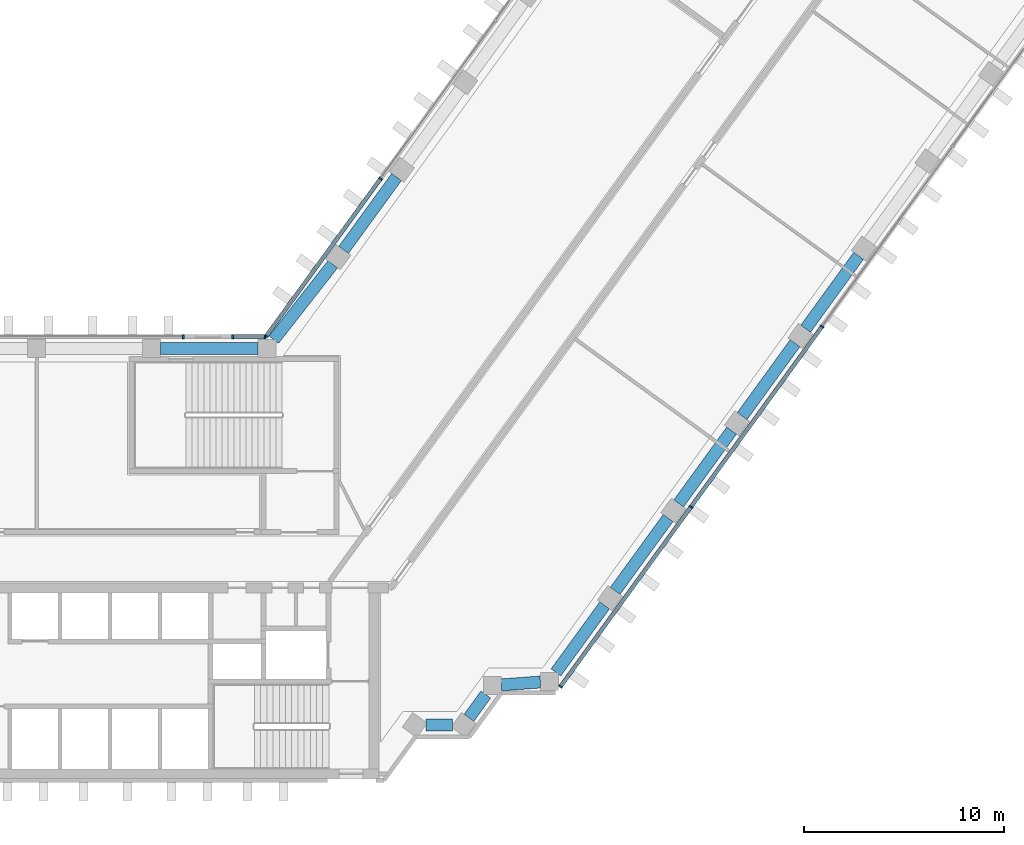
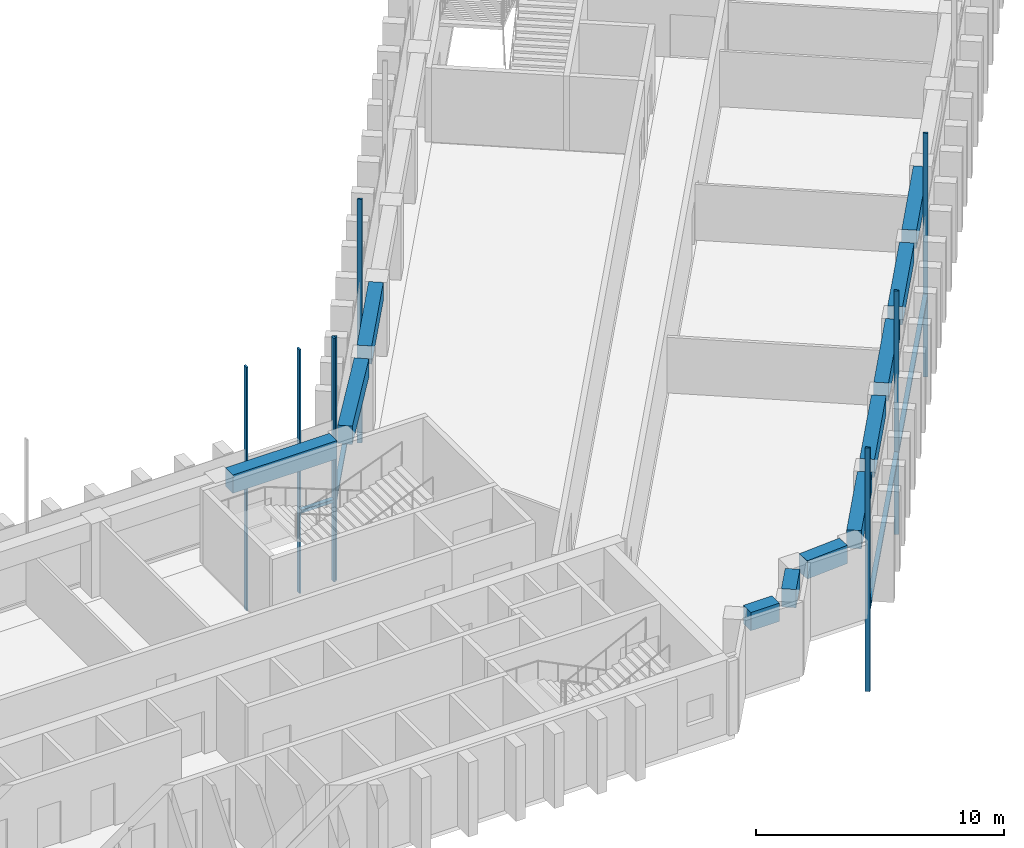
# One storey, part 5 of 18: 12 members, 11 beams, 4 elements without a shape of their own.
"""IFC4 building model written with IfcOpenShell, lengths in metres."""

from ifc_helpers import new_model, si_unit, direction, frame, origin, origin_2d, place, context, subcontext, project, spatial, rectangle, extrude, material, material_profile, profile_set, type_object, element, aggregate, save


model = new_model("IFC4")

# Units and contexts
model_context = context("Model", 3, precision=1e-05, world=origin(), true_north=direction((0.0, 1.0)))
body_context = subcontext(model_context, "Body", "Model", "MODEL_VIEW")
ifc_project = project(units=[si_unit("LENGTHUNIT", "METRE"), si_unit("AREAUNIT", "SQUARE_METRE"), si_unit("VOLUMEUNIT", "CUBIC_METRE"), si_unit("PLANEANGLEUNIT", "RADIAN"), si_unit("MASSUNIT", "GRAM", prefix="KILO")], contexts=[model_context])

# Site, building, storey
site_placement = place(None, origin())
site = spatial("IfcSite", under=ifc_project, at=site_placement, CompositionType="ELEMENT")
building_placement = place(site_placement, origin())
building = spatial("IfcBuilding", under=site, at=building_placement, Name="Quipu Civic Tower", CompositionType="ELEMENT")
storey_placement = place(building_placement, frame((0.0, 0.0, 59.0)))
storey = spatial("IfcBuildingStorey", under=building, at=storey_placement, Name="L13", CompositionType="ELEMENT", Elevation=59.0)

# Curtain wall, members
ifc_material_1 = material(Name="Insulated glass unit", Category="glass")
curtain_wall_type = type_object("IfcCurtainWallType", Name="Office curtain wall CW1", PredefinedType="NOTDEFINED", material=ifc_material_1)
curtain_wall_1_placement = place(storey_placement, origin())
curtain_wall_1 = element("IfcCurtainWall", 1, at=curtain_wall_1_placement, inside=storey, type_object=curtain_wall_type, Name="Office curtain wall CW1 L12 run 26", PredefinedType="NOTDEFINED")
ifc_material_2 = material(Name="Anodised aluminium", Category="aluminium")
ifc_material_profile_1 = material_profile(ifc_material_2, rectangle(XDim=0.199951171875, YDim=0.080078125, at=origin_2d()), Name="RECT 200x80")
ifc_profile_set_1 = profile_set([ifc_material_profile_1], Name="Anodised aluminium")
member_type_1 = type_object("IfcMemberType", Name="Mullion CW1", PredefinedType="MULLION", material=ifc_profile_set_1)
member_1_placement = place(storey_placement, frame((29.079345703125, -6.3876953125, -3.919921875), z_axis=(0.0, 0.0, 1.0), x_axis=(-0.809016770908, 0.587785559869, 0.0)))
member_1 = element("IfcMember", 2, at=member_1_placement, type_object=member_type_1, Name="CW1 mullion 1", PredefinedType="MULLION", context=body_context, shape_type="SweptSolid", body=[
    extrude(rectangle(XDim=0.199951171875, YDim=0.080078125, at=origin_2d()), origin(), (0.0, 0.0, 1.0), 12.0),
])
member_2_placement = place(storey_placement, frame((35.60546875, 2.594482421875, -3.919921875), z_axis=(0.0, 0.0, 1.0), x_axis=(-0.809016770908, 0.587785559869, 0.0)))
member_2 = element("IfcMember", 3, at=member_2_placement, type_object=member_type_1, Name="CW1 mullion 2", PredefinedType="MULLION", context=body_context, shape_type="SweptSolid", body=[
    extrude(rectangle(XDim=0.199951171875, YDim=0.080078125, at=origin_2d()), origin(), (0.0, 0.0, 1.0), 12.0),
])
member_3_placement = place(storey_placement, frame((42.155029296875, 11.609130859375, -3.919921875), z_axis=(0.0, 0.0, 1.0), x_axis=(-0.809016770908, 0.587785559869, 0.0)))
member_3 = element("IfcMember", 4, at=member_3_placement, type_object=member_type_1, Name="CW1 mullion 3", PredefinedType="MULLION", context=body_context, shape_type="SweptSolid", body=[
    extrude(rectangle(XDim=0.199951171875, YDim=0.080078125, at=origin_2d()), origin(), (0.0, 0.0, 1.0), 12.0),
])

curtain_wall_2_placement = place(storey_placement, origin())
curtain_wall_2 = element("IfcCurtainWall", 5, at=curtain_wall_2_placement, inside=storey, type_object=curtain_wall_type, Name="Office curtain wall CW1 L12 run 36", PredefinedType="NOTDEFINED")
member_4_placement = place(storey_placement, frame((20.08154296875, 18.996826171875, -3.919921875), z_axis=(0.0, 0.0, 1.0), x_axis=(0.809016532822, -0.587785887566, 0.0)))
member_4 = element("IfcMember", 6, at=member_4_placement, type_object=member_type_1, Name="CW1 mullion 4", PredefinedType="MULLION", context=body_context, shape_type="SweptSolid", body=[
    extrude(rectangle(XDim=0.199951171875, YDim=0.080078125, at=origin_2d()), origin(), (0.0, 0.0, 1.0), 12.0),
])
member_5_placement = place(storey_placement, frame((14.36767578125, 11.13232421875, -3.919921875), z_axis=(0.0, 0.0, 1.0), x_axis=(0.809016532822, -0.587785887566, 0.0)))
member_5 = element("IfcMember", 7, at=member_5_placement, type_object=member_type_1, Name="CW1 mullion 5", PredefinedType="MULLION", context=body_context, shape_type="SweptSolid", body=[
    extrude(rectangle(XDim=0.199951171875, YDim=0.080078125, at=origin_2d()), origin(), (0.0, 0.0, 1.0), 12.0),
])

curtain_wall_3_placement = place(storey_placement, origin())
curtain_wall_3 = element("IfcCurtainWall", 8, at=curtain_wall_3_placement, inside=storey, type_object=curtain_wall_type, Name="Office curtain wall CW1 L12 run 37", PredefinedType="NOTDEFINED")
member_6_placement = place(storey_placement, frame((14.30419921875, 11.10009765625, -3.919921875), z_axis=(0.0, 0.0, 1.0), x_axis=(0.0, -1.0, 0.0)))
member_6 = element("IfcMember", 9, at=member_6_placement, type_object=member_type_1, Name="CW1 mullion 1", PredefinedType="MULLION", context=body_context, shape_type="SweptSolid", body=[
    extrude(rectangle(XDim=0.199951171875, YDim=0.080078125, at=origin_2d()), origin(), (0.0, 0.0, 1.0), 12.0),
])
member_7_placement = place(storey_placement, frame((12.695068359375, 11.10009765625, -3.919921875), z_axis=(0.0, 0.0, 1.0), x_axis=(0.0, -1.0, 0.0)))
member_7 = element("IfcMember", 10, at=member_7_placement, type_object=member_type_1, Name="CW1 mullion 2", PredefinedType="MULLION", context=body_context, shape_type="SweptSolid", body=[
    extrude(rectangle(XDim=0.199951171875, YDim=0.080078125, at=origin_2d()), origin(), (0.0, 0.0, 1.0), 12.0),
])

# Curtain wall, member
curtain_wall_4_placement = place(storey_placement, origin())
curtain_wall_4 = element("IfcCurtainWall", 11, at=curtain_wall_4_placement, inside=storey, type_object=curtain_wall_type, Name="Office curtain wall CW1 L12 run 39", PredefinedType="NOTDEFINED")
member_8_placement = place(storey_placement, frame((10.223388671875, 11.10009765625, -3.919921875), z_axis=(0.0, 0.0, 1.0), x_axis=(0.0, -1.0, 0.0)))
member_8 = element("IfcMember", 12, at=member_8_placement, type_object=member_type_1, Name="CW1 mullion 1", PredefinedType="MULLION", context=body_context, shape_type="SweptSolid", body=[
    extrude(rectangle(XDim=0.199951171875, YDim=0.080078125, at=origin_2d()), origin(), (0.0, 0.0, 1.0), 12.0),
])
aggregate(curtain_wall_4, [member_8])

# Beams
ifc_material_3 = material(Name="Concrete C50/60", Category="concrete")
ifc_material_profile_2 = material_profile(ifc_material_3, rectangle(XDim=0.60009765625, YDim=0.89990234375, at=origin_2d()), Name="RC600x900")
ifc_profile_set_2 = profile_set([ifc_material_profile_2], Name="Concrete C50/60")
beam_type = type_object("IfcBeamType", Name="Spandrel beam RC 600x900 C50/60", PredefinedType="SPANDREL", material=ifc_profile_set_2)
beam_1_placement = place(storey_placement, frame((22.34814453125, -8.31494140625, 3.199951171875), z_axis=(1.0, 0.0, 0.0), x_axis=(0.0, 1.0, 0.0)))
element("IfcBeam", 13, at=beam_1_placement, inside=storey, type_object=beam_type, Name="Spandrel beam L13 J-Eo.1 to J-Eo.2", PredefinedType="SPANDREL", context=body_context, shape_type="SweptSolid", body=[
    extrude(rectangle(XDim=0.60009765625, YDim=0.89990234375, at=origin_2d()), origin(), (0.0, 0.0, 1.0), 1.33056640625),
])
beam_2_placement = place(storey_placement, frame((24.499755859375, -7.951171875, 3.199951171875), z_axis=(0.588433824377, 0.808545381738, 0.0), x_axis=(-0.808545381738, 0.588433824377, 0.0)))
element("IfcBeam", 14, at=beam_2_placement, inside=storey, type_object=beam_type, Name="Spandrel beam L13 J-Eo.2 to J-Eo.3", PredefinedType="SPANDREL", context=body_context, shape_type="SweptSolid", body=[
    extrude(rectangle(XDim=0.60009765625, YDim=0.89990234375, at=origin_2d()), origin(), (0.0, 0.0, 1.0), 1.439697265625),
])
beam_3_placement = place(storey_placement, frame((26.12451171875, -6.304443359375, 3.199951171875), z_axis=(0.997365981169, 0.072533437859, 0.0), x_axis=(-0.072533437859, 0.997365981169, 0.0)))
element("IfcBeam", 15, at=beam_3_placement, inside=storey, type_object=beam_type, Name="Spandrel beam L13 J-Eo.3 to J-Eo.4", PredefinedType="SPANDREL", context=body_context, shape_type="SweptSolid", body=[
    extrude(rectangle(XDim=0.60009765625, YDim=0.89990234375, at=origin_2d()), origin(), (0.0, 0.0, 1.0), 1.95556640625),
])
beam_4_placement = place(storey_placement, frame((28.85205078125, -5.679931640625, 3.199951171875), z_axis=(0.587750565781, 0.809042194464, 0.0), x_axis=(-0.809042194464, 0.587750565781, 0.0)))
element("IfcBeam", 16, at=beam_4_placement, inside=storey, type_object=beam_type, Name="Spandrel beam L13 J-Eo.4 to E-OUT-01", PredefinedType="SPANDREL", context=body_context, shape_type="SweptSolid", body=[
    extrude(rectangle(XDim=0.60009765625, YDim=0.89990234375, at=origin_2d()), origin(), (0.0, 0.0, 1.0), 4.13720703125),
])
beam_5_placement = place(storey_placement, frame((31.812744140625, -1.604736328125, 3.199951171875), z_axis=(0.587778073121, 0.809022210299, 0.0), x_axis=(-0.809022210299, 0.587778073121, 0.0)))
element("IfcBeam", 17, at=beam_5_placement, inside=storey, type_object=beam_type, Name="Spandrel beam L13 E-OUT-01 to E-OUT-02", PredefinedType="SPANDREL", context=body_context, shape_type="SweptSolid", body=[
    extrude(rectangle(XDim=0.60009765625, YDim=0.89990234375, at=origin_2d()), origin(), (0.0, 0.0, 1.0), 4.5),
])
beam_6_placement = place(storey_placement, frame((34.98681640625, 2.76416015625, 3.199951171875), z_axis=(0.587803872688, 0.809003465539, 0.0), x_axis=(-0.809003465539, 0.587803872688, 0.0)))
element("IfcBeam", 18, at=beam_6_placement, inside=storey, type_object=beam_type, Name="Spandrel beam L13 E-OUT-02 to E-OUT-03", PredefinedType="SPANDREL", context=body_context, shape_type="SweptSolid", body=[
    extrude(rectangle(XDim=0.60009765625, YDim=0.89990234375, at=origin_2d()), origin(), (0.0, 0.0, 1.0), 4.499755859375),
])
for number, where, z_axis, x_axis, name in (
    (19, (38.160888671875, 7.1328125, 3.199951171875), (0.587778073121, 0.809022210299, 0.0), (-0.809022210299, 0.587778073121, 0.0), "Spandrel beam L13 E-OUT-03 to E-OUT-04"),
    (20, (41.3349609375, 11.50146484375, 3.199951171875), (0.587778073121, 0.809022210299, 0.0), (-0.809022210299, 0.587778073121, 0.0), "Spandrel beam L13 E-OUT-04 to E-OUT-05"),
    (21, (20.8828125, 19.079833984375, 3.199951171875), (-0.587716763865, -0.809066749701, 0.0), (0.809066749701, -0.587716763865, 0.0), "Spandrel beam L13 E-IN-02 to E-IN-01"),
):
    element("IfcBeam", number, at=place(storey_placement, frame(where, z_axis=z_axis, x_axis=x_axis)), inside=storey, type_object=beam_type, Name=name, PredefinedType="SPANDREL", context=body_context, shape_type="SweptSolid", body=[
        extrude(rectangle(XDim=0.60009765625, YDim=0.89990234375, at=origin_2d()), origin(), (0.0, 0.0, 1.0), 4.5),
    ])
beam_7_placement = place(storey_placement, frame((17.6962890625, 14.72021484375, 3.199951171875), z_axis=(-0.616123961998, -0.787649200756, 0.0), x_axis=(0.787649200756, -0.616123961998, 0.0)))
element("IfcBeam", 22, at=beam_7_placement, inside=storey, type_object=beam_type, Name="Spandrel beam L13 E-IN-01 to J-Ei.0", PredefinedType="SPANDREL", context=body_context, shape_type="SweptSolid", body=[
    extrude(rectangle(XDim=0.60009765625, YDim=0.89990234375, at=origin_2d()), origin(), (0.0, 0.0, 1.0), 4.78662109375),
])
beam_8_placement = place(storey_placement, frame((13.9453125, 10.5, 3.199951171875), z_axis=(-1.0, 0.0, 0.0), x_axis=(0.0, -1.0, 0.0)))
element("IfcBeam", 23, at=beam_8_placement, inside=storey, type_object=beam_type, Name="Spandrel beam L13 J-Ei.0 to FRONT-01", PredefinedType="SPANDREL", context=body_context, shape_type="SweptSolid", body=[
    extrude(rectangle(XDim=0.60009765625, YDim=0.89990234375, at=origin_2d()), origin(), (0.0, 0.0, 1.0), 4.858154296875),
])

# Member
ifc_material_4 = material(Name="Anodised aluminium", Category="aluminium")
ifc_material_profile_3 = material_profile(ifc_material_4, rectangle(XDim=0.199951171875, YDim=0.159912109375, at=origin_2d()), Name="RECT 200x160")
ifc_profile_set_3 = profile_set([ifc_material_profile_3], Name="Anodised aluminium")
member_type_2 = type_object("IfcMemberType", Name="Transom CW1", PredefinedType="USERDEFINED", material=ifc_profile_set_3)
member_9_placement = place(storey_placement, frame((29.10302734375, -6.35546875, 0.080078125), z_axis=(0.587779179422, 0.809021406539, 0.0), x_axis=(-0.809021406539, 0.587779179422, 0.0)))
member_9 = element("IfcMember", 24, at=member_9_placement, type_object=member_type_2, Name="CW1 transom 1.2", ObjectType="TRANSOM", PredefinedType="USERDEFINED", context=body_context, shape_type="SweptSolid", body=[
    extrude(rectangle(XDim=0.199951171875, YDim=0.159912109375, at=origin_2d()), origin(), (0.0, 0.0, 1.0), 11.02294921875),
])

member_10_placement = place(storey_placement, frame((35.62890625, 2.626953125, 0.080078125), z_axis=(0.587795037589, 0.80900988485, 0.0), x_axis=(-0.80900988485, 0.587795037589, 0.0)))
member_10 = element("IfcMember", 25, at=member_10_placement, type_object=member_type_2, Name="CW1 transom 2.2", ObjectType="TRANSOM", PredefinedType="USERDEFINED", context=body_context, shape_type="SweptSolid", body=[
    extrude(rectangle(XDim=0.199951171875, YDim=0.159912109375, at=origin_2d()), origin(), (0.0, 0.0, 1.0), 11.062744140625),
])

aggregate(curtain_wall_1, [member_1, member_2, member_3, member_9, member_10])

member_11_placement = place(storey_placement, frame((20.05810546875, 18.964599609375, 0.080078125), z_axis=(-0.58779220199, -0.809011945079, 0.0), x_axis=(0.809011945079, -0.58779220199, 0.0)))
member_11 = element("IfcMember", 26, at=member_11_placement, type_object=member_type_2, Name="CW1 transom 4.2", ObjectType="TRANSOM", PredefinedType="USERDEFINED", context=body_context, shape_type="SweptSolid", body=[
    extrude(rectangle(XDim=0.199951171875, YDim=0.159912109375, at=origin_2d()), origin(), (0.0, 0.0, 1.0), 9.64111328125),
])

aggregate(curtain_wall_2, [member_4, member_5, member_11])

member_12_placement = place(storey_placement, frame((14.26416015625, 11.10009765625, 0.080078125), z_axis=(-1.0, 0.0, 0.0), x_axis=(0.0, -1.0, 0.0)))
member_12 = element("IfcMember", 27, at=member_12_placement, type_object=member_type_2, Name="CW1 transom 1.2", ObjectType="TRANSOM", PredefinedType="USERDEFINED", context=body_context, shape_type="SweptSolid", body=[
    extrude(rectangle(XDim=0.199951171875, YDim=0.159912109375, at=origin_2d()), origin(), (0.0, 0.0, 1.0), 1.529052734375),
])

aggregate(curtain_wall_3, [member_6, member_7, member_12])

save(model, "model.ifc")
